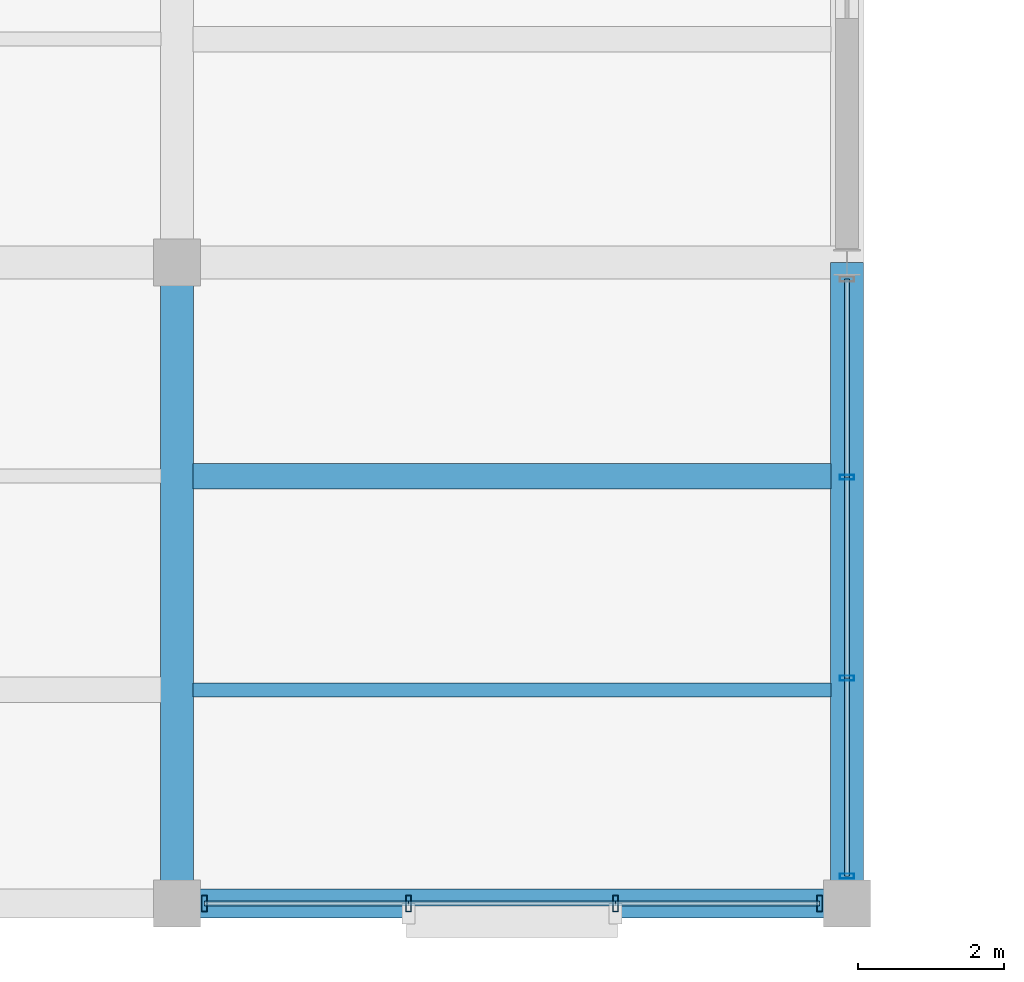
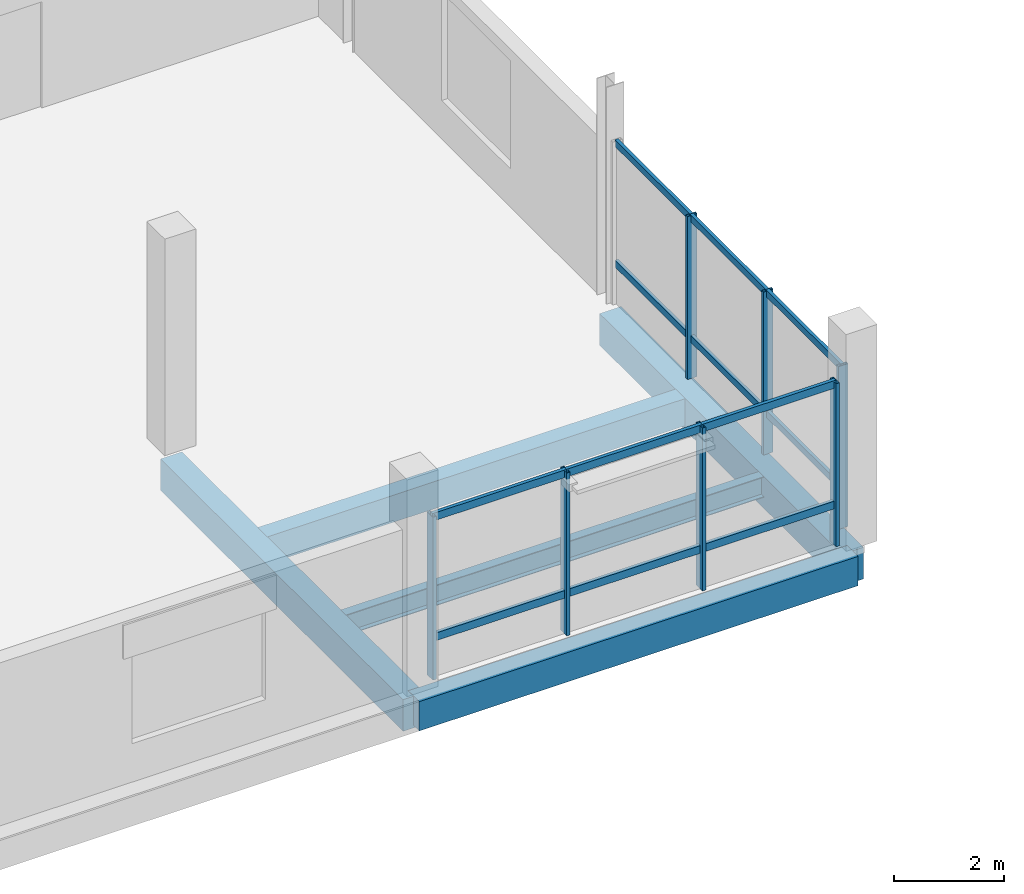
# One storey, part 18 of 71: 19 members, 5 beams, 2 elements without a shape of their own.
"""IFC4 building model written with IfcOpenShell, lengths in metres."""

from ifc_helpers import new_model, si_unit, direction, frame, origin, origin_2d, place, context, subcontext, project, spatial, rectangle, hollow_rectangle, i_section, extrude, material, layer, layer_set, material_profile, profile_set, type_object, element, aggregate, save


model = new_model("IFC4")

# Units and contexts
model_context = context("Model", 3, precision=1e-05, world=origin(), true_north=direction((0.0, 1.0)))
body_context = subcontext(model_context, "Body", "Model", "MODEL_VIEW")
ifc_project = project(units=[si_unit("LENGTHUNIT", "METRE"), si_unit("AREAUNIT", "SQUARE_METRE"), si_unit("VOLUMEUNIT", "CUBIC_METRE"), si_unit("PLANEANGLEUNIT", "RADIAN"), si_unit("MASSUNIT", "GRAM", prefix="KILO")], contexts=[model_context])

# Site, building, storey
site_placement = place(None, origin())
site = spatial("IfcSite", under=ifc_project, at=site_placement, CompositionType="ELEMENT")
building_placement = place(site_placement, origin())
building = spatial("IfcBuilding", under=site, at=building_placement, Name="Meriwether Solvik Hall", CompositionType="ELEMENT")
storey_placement = place(building_placement, frame((0.0, 0.0, 5.10009765625)))
storey = spatial("IfcBuildingStorey", under=building, at=storey_placement, Name="L01", CompositionType="ELEMENT", Elevation=5.10009765625)

# Beams
ifc_material_1 = material(Name="Concrete C40/50", Category="concrete")
ifc_material_profile_1 = material_profile(ifc_material_1, rectangle(XDim=0.35009765625, YDim=0.60009765625, at=origin_2d()), Name="RCB-350X600")
ifc_profile_set_1 = profile_set([ifc_material_profile_1], Name="Concrete C40/50")
beam_type_1 = type_object("IfcBeamType", Name="BM-RC-350X600", PredefinedType="JOIST", material=ifc_profile_set_1)
beam_1_placement = place(storey_placement, frame((105.219970703125, 11.066650390625, -0.60009765625), z_axis=(1.0, 0.0, 0.0), x_axis=(0.0, 1.0, 0.0)))
element("IfcBeam", 1, at=beam_1_placement, inside=storey, type_object=beam_type_1, Name="Secondary Floor Joist 12/A_J2 (L01)", PredefinedType="JOIST", context=body_context, shape_type="SweptSolid", body=[
    extrude(rectangle(XDim=0.35009765625, YDim=0.60009765625, at=origin_2d()), origin(), (0.0, 0.0, 1.0), 8.760009765625),
])
ifc_material_2 = material(Name="Concrete C40/50", Category="concrete")
ifc_material_profile_2 = material_profile(ifc_material_2, rectangle(XDim=0.39990234375, YDim=0.64990234375, at=origin_2d()), Name="RCB-400X650")
ifc_profile_set_2 = profile_set([ifc_material_profile_2], Name="Concrete C40/50")
beam_type_2 = type_object("IfcBeamType", Name="BM-RC-400X650", PredefinedType="SPANDREL", material=ifc_profile_set_2)
beam_2_placement = place(storey_placement, frame((105.0, 5.199951171875, -0.625), z_axis=(1.0, 0.0, 0.0), x_axis=(0.0, 1.0, 0.0)))
element("IfcBeam", 2, at=beam_2_placement, inside=storey, type_object=beam_type_2, Name="Podium Girder A:12-13 (L01)", PredefinedType="SPANDREL", context=body_context, shape_type="SweptSolid", body=[
    extrude(rectangle(XDim=0.39990234375, YDim=0.64990234375, at=origin_2d()), origin(), (0.0, 0.0, 1.0), 9.199951171875),
])
ifc_material_3 = material(Name="Concrete C40/50", Category="concrete")
ifc_material_profile_3 = material_profile(ifc_material_3, rectangle(XDim=0.449951171875, YDim=0.699951171875, at=origin_2d()), Name="RCB-450X700")
ifc_profile_set_3 = profile_set([ifc_material_profile_3], Name="Concrete C40/50")
beam_type_3 = type_object("IfcBeamType", Name="BM-RC-450X700", PredefinedType="BEAM", material=ifc_profile_set_3)
for number, where, z_axis, x_axis, name in (
    (3, (105.0, 5.199951171875, -0.650146484375), (0.0, 1.0, 0.0), (-1.0, 0.0, 0.0), "Podium Girder 12:A-B (L01)"),
    (4, (114.199951171875, 5.199951171875, -0.650146484375), (0.0, 1.0, 0.0), (-1.0, 0.0, 0.0), "Podium Girder 13:A-B (L01)"),
):
    element("IfcBeam", number, at=place(storey_placement, frame(where, z_axis=z_axis, x_axis=x_axis)), inside=storey, type_object=beam_type_3, Name=name, PredefinedType="BEAM", context=body_context, shape_type="SweptSolid", body=[
        extrude(rectangle(XDim=0.449951171875, YDim=0.699951171875, at=origin_2d()), origin(), (0.0, 0.0, 1.0), 8.800048828125),
    ])
ifc_material_4 = material(Name="Steel A992 Grade 50", Category="steel")
ifc_material_profile_4 = material_profile(ifc_material_4, i_section(OverallWidth=0.19091796875, OverallDepth=0.45703125, WebThickness=0.009033203125, FlangeThickness=0.014404296875, at=origin_2d()), Name="W18X50")
ifc_profile_set_4 = profile_set([ifc_material_profile_4], Name="Steel A992 Grade 50")
beam_type_4 = type_object("IfcBeamType", Name="BM-STL-W18X50", PredefinedType="JOIST", material=ifc_profile_set_4)
beam_3_placement = place(storey_placement, frame((105.219970703125, 8.13330078125, -0.528564453125), z_axis=(1.0, 0.0, 0.0), x_axis=(0.0, 1.0, 0.0)))
element("IfcBeam", 5, at=beam_3_placement, inside=storey, type_object=beam_type_4, Name="Secondary Floor Joist 12/A_J1 (L01)", PredefinedType="JOIST", context=body_context, shape_type="SweptSolid", body=[
    extrude(i_section(OverallWidth=0.19091796875, OverallDepth=0.45703125, WebThickness=0.009033203125, FlangeThickness=0.014404296875, at=origin_2d()), origin(), (0.0, 0.0, 1.0), 8.760009765625),
])

# Curtain wall, members
ifc_material_5 = material(Name="Thermally Broken Anodised Aluminium 6063-T6 and Low-E Glass", Category="aluminium")
ifc_layer = layer(ifc_material_5, 0.179931640625)
ifc_layer_set = layer_set([ifc_layer], Name="Thermally Broken Anodised Aluminium 6063-T6 and Low-E Glass")
curtain_wall_type = type_object("IfcCurtainWallType", Name="CW-SF-POD-B", PredefinedType="USERDEFINED", material=ifc_layer_set)
curtain_wall_1_placement = place(storey_placement, origin())
curtain_wall_1 = element("IfcCurtainWall", 6, at=curtain_wall_1_placement, inside=storey, type_object=curtain_wall_type, Name="Curtain Wall wing_Y13_1_49 (L01)", ObjectType="STICK STOREFRONT GLAZING", PredefinedType="USERDEFINED")
ifc_material_6 = material(Name="Anodised Aluminium 6063-T6", Category="aluminium")
ifc_material_profile_5 = material_profile(ifc_material_6, hollow_rectangle(XDim=0.070068359375, YDim=0.199951171875, WallThickness=0.0048828125, at=origin_2d()), Name="CWM-70X200")
ifc_profile_set_5 = profile_set([ifc_material_profile_5], Name="Anodised Aluminium 6063-T6")
member_type_1 = type_object("IfcMemberType", Name="CW-MUL-70X200", PredefinedType="MULLION", material=ifc_profile_set_5)
member_1_placement = place(storey_placement, frame((114.199951171875, 11.05224609375, 0.0), z_axis=(0.0, 0.0, 1.0), x_axis=(0.0, -1.0, 0.0)))
member_1 = element("IfcMember", 7, at=member_1_placement, type_object=member_type_1, Name="Curtain Wall Mullion 2", PredefinedType="MULLION", context=body_context, shape_type="SweptSolid", body=[
    extrude(hollow_rectangle(XDim=0.070068359375, YDim=0.199951171875, WallThickness=0.0048828125, at=origin_2d()), origin(), (0.0, 0.0, 1.0), 3.60986328125),
])
member_2_placement = place(storey_placement, frame((114.199951171875, 8.294677734375, 0.0), z_axis=(0.0, 0.0, 1.0), x_axis=(0.0, -1.0, 0.0)))
member_2 = element("IfcMember", 8, at=member_2_placement, type_object=member_type_1, Name="Curtain Wall Mullion 3", PredefinedType="MULLION", context=body_context, shape_type="SweptSolid", body=[
    extrude(hollow_rectangle(XDim=0.070068359375, YDim=0.199951171875, WallThickness=0.0048828125, at=origin_2d()), origin(), (0.0, 0.0, 1.0), 3.60986328125),
])
member_3_placement = place(storey_placement, frame((114.199951171875, 5.574951171875, 0.0), z_axis=(0.0, 0.0, 1.0), x_axis=(0.0, -1.0, 0.0)))
member_3 = element("IfcMember", 9, at=member_3_placement, type_object=member_type_1, Name="Curtain Wall Mullion 4", PredefinedType="MULLION", context=body_context, shape_type="SweptSolid", body=[
    extrude(hollow_rectangle(XDim=0.070068359375, YDim=0.199951171875, WallThickness=0.0048828125, at=origin_2d()), origin(), (0.0, 0.0, 1.0), 3.60986328125),
])

curtain_wall_2_placement = place(storey_placement, origin())
curtain_wall_2 = element("IfcCurtainWall", 10, at=curtain_wall_2_placement, inside=storey, type_object=curtain_wall_type, Name="Curtain Wall wing_XA_12_11 (L01)", ObjectType="STICK STOREFRONT GLAZING", PredefinedType="USERDEFINED")
ifc_material_7 = material(Name="Anodised Aluminium 6063-T6", Category="aluminium")
ifc_material_profile_6 = material_profile(ifc_material_7, hollow_rectangle(XDim=0.074951171875, YDim=0.219970703125, WallThickness=0.005615234375, at=origin_2d()), Name="CWM-75X220")
ifc_profile_set_6 = profile_set([ifc_material_profile_6], Name="Anodised Aluminium 6063-T6")
member_type_2 = type_object("IfcMemberType", Name="CW-MUL-75X220", PredefinedType="MULLION", material=ifc_profile_set_6)
member_4_placement = place(storey_placement, frame((113.824951171875, 5.199951171875, 0.0), z_axis=(0.0, 0.0, 1.0), x_axis=(-1.0, 0.0, 0.0)))
member_4 = element("IfcMember", 11, at=member_4_placement, type_object=member_type_2, Name="Curtain Wall Mullion 1", PredefinedType="MULLION", context=body_context, shape_type="SweptSolid", body=[
    extrude(hollow_rectangle(XDim=0.074951171875, YDim=0.219970703125, WallThickness=0.005615234375, at=origin_2d()), origin(), (0.0, 0.0, 1.0), 3.60986328125),
])
member_5_placement = place(storey_placement, frame((111.02099609375, 5.199951171875, 0.0), z_axis=(0.0, 0.0, 1.0), x_axis=(-1.0, 0.0, 0.0)))
member_5 = element("IfcMember", 12, at=member_5_placement, type_object=member_type_2, Name="Curtain Wall Mullion 2", PredefinedType="MULLION", context=body_context, shape_type="SweptSolid", body=[
    extrude(hollow_rectangle(XDim=0.074951171875, YDim=0.219970703125, WallThickness=0.005615234375, at=origin_2d()), origin(), (0.0, 0.0, 1.0), 3.60986328125),
])
member_6_placement = place(storey_placement, frame((108.178955078125, 5.199951171875, 0.0), z_axis=(0.0, 0.0, 1.0), x_axis=(-1.0, 0.0, 0.0)))
member_6 = element("IfcMember", 13, at=member_6_placement, type_object=member_type_2, Name="Curtain Wall Mullion 3", PredefinedType="MULLION", context=body_context, shape_type="SweptSolid", body=[
    extrude(hollow_rectangle(XDim=0.074951171875, YDim=0.219970703125, WallThickness=0.005615234375, at=origin_2d()), origin(), (0.0, 0.0, 1.0), 3.60986328125),
])
member_7_placement = place(storey_placement, frame((105.375, 5.199951171875, 0.0), z_axis=(0.0, 0.0, 1.0), x_axis=(-1.0, 0.0, 0.0)))
member_7 = element("IfcMember", 14, at=member_7_placement, type_object=member_type_2, Name="Curtain Wall Mullion 4", PredefinedType="MULLION", context=body_context, shape_type="SweptSolid", body=[
    extrude(hollow_rectangle(XDim=0.074951171875, YDim=0.219970703125, WallThickness=0.005615234375, at=origin_2d()), origin(), (0.0, 0.0, 1.0), 3.60986328125),
])

# Member
ifc_material_8 = material(Name="Anodised Aluminium 6063-T6", Category="aluminium")
ifc_material_profile_7 = material_profile(ifc_material_8, hollow_rectangle(XDim=0.070068359375, YDim=0.14990234375, WallThickness=0.0048828125, at=origin_2d()), Name="CWT-70X150")
ifc_profile_set_7 = profile_set([ifc_material_profile_7], Name="Anodised Aluminium 6063-T6")
member_type_3 = type_object("IfcMemberType", Name="CW-TRN-70X150", PredefinedType="USERDEFINED", material=ifc_profile_set_7)
member_8_placement = place(storey_placement, frame((114.199951171875, 13.77197265625, 0.8798828125), z_axis=(0.0, -1.0, 0.0), x_axis=(1.0, 0.0, 0.0)))
member_8 = element("IfcMember", 15, at=member_8_placement, type_object=member_type_3, Name="Curtain Wall Transom 1-sill", ObjectType="TRANSOM", PredefinedType="USERDEFINED", context=body_context, shape_type="SweptSolid", body=[
    extrude(hollow_rectangle(XDim=0.070068359375, YDim=0.14990234375, WallThickness=0.0048828125, at=origin_2d()), origin(), (0.0, 0.0, 1.0), 2.7197265625),
])

member_9_placement = place(storey_placement, frame((114.199951171875, 13.77197265625, 3.5498046875), z_axis=(0.0, -1.0, 0.0), x_axis=(1.0, 0.0, 0.0)))
member_9 = element("IfcMember", 16, at=member_9_placement, type_object=member_type_3, Name="Curtain Wall Transom 1-head", ObjectType="TRANSOM", PredefinedType="USERDEFINED", context=body_context, shape_type="SweptSolid", body=[
    extrude(hollow_rectangle(XDim=0.070068359375, YDim=0.14990234375, WallThickness=0.0048828125, at=origin_2d()), origin(), (0.0, 0.0, 1.0), 2.7197265625),
])

member_10_placement = place(storey_placement, frame((114.199951171875, 11.05224609375, 0.8798828125), z_axis=(0.0, -1.0, 0.0), x_axis=(1.0, 0.0, 0.0)))
member_10 = element("IfcMember", 17, at=member_10_placement, type_object=member_type_3, Name="Curtain Wall Transom 2-sill", ObjectType="TRANSOM", PredefinedType="USERDEFINED", context=body_context, shape_type="SweptSolid", body=[
    extrude(hollow_rectangle(XDim=0.070068359375, YDim=0.14990234375, WallThickness=0.0048828125, at=origin_2d()), origin(), (0.0, 0.0, 1.0), 2.757568359375),
])

member_11_placement = place(storey_placement, frame((114.199951171875, 11.05224609375, 3.5498046875), z_axis=(0.0, -1.0, 0.0), x_axis=(1.0, 0.0, 0.0)))
member_11 = element("IfcMember", 18, at=member_11_placement, type_object=member_type_3, Name="Curtain Wall Transom 2-head", ObjectType="TRANSOM", PredefinedType="USERDEFINED", context=body_context, shape_type="SweptSolid", body=[
    extrude(hollow_rectangle(XDim=0.070068359375, YDim=0.14990234375, WallThickness=0.0048828125, at=origin_2d()), origin(), (0.0, 0.0, 1.0), 2.757568359375),
])

member_12_placement = place(storey_placement, frame((114.199951171875, 8.294677734375, 0.8798828125), z_axis=(0.0, -1.0, 0.0), x_axis=(1.0, 0.0, 0.0)))
member_12 = element("IfcMember", 19, at=member_12_placement, type_object=member_type_3, Name="Curtain Wall Transom 3-sill", ObjectType="TRANSOM", PredefinedType="USERDEFINED", context=body_context, shape_type="SweptSolid", body=[
    extrude(hollow_rectangle(XDim=0.070068359375, YDim=0.14990234375, WallThickness=0.0048828125, at=origin_2d()), origin(), (0.0, 0.0, 1.0), 2.7197265625),
])

member_13_placement = place(storey_placement, frame((114.199951171875, 8.294677734375, 3.5498046875), z_axis=(0.0, -1.0, 0.0), x_axis=(1.0, 0.0, 0.0)))
member_13 = element("IfcMember", 20, at=member_13_placement, type_object=member_type_3, Name="Curtain Wall Transom 3-head", ObjectType="TRANSOM", PredefinedType="USERDEFINED", context=body_context, shape_type="SweptSolid", body=[
    extrude(hollow_rectangle(XDim=0.070068359375, YDim=0.14990234375, WallThickness=0.0048828125, at=origin_2d()), origin(), (0.0, 0.0, 1.0), 2.7197265625),
])

aggregate(curtain_wall_1, [member_1, member_2, member_3, member_8, member_9, member_10, member_11, member_12, member_13])

ifc_material_9 = material(Name="Anodised Aluminium 6063-T6", Category="aluminium")
ifc_material_profile_8 = material_profile(ifc_material_9, hollow_rectangle(XDim=0.074951171875, YDim=0.169921875, WallThickness=0.005615234375, at=origin_2d()), Name="CWT-75X170")
ifc_profile_set_8 = profile_set([ifc_material_profile_8], Name="Anodised Aluminium 6063-T6")
member_type_4 = type_object("IfcMemberType", Name="CW-TRN-75X170", PredefinedType="USERDEFINED", material=ifc_profile_set_8)
member_14_placement = place(storey_placement, frame((113.824951171875, 5.199951171875, 0.8798828125), z_axis=(-1.0, 0.0, 0.0), x_axis=(0.0, -1.0, 0.0)))
member_14 = element("IfcMember", 21, at=member_14_placement, type_object=member_type_4, Name="Curtain Wall Transom 1-sill", ObjectType="TRANSOM", PredefinedType="USERDEFINED", context=body_context, shape_type="SweptSolid", body=[
    extrude(hollow_rectangle(XDim=0.074951171875, YDim=0.169921875, WallThickness=0.005615234375, at=origin_2d()), origin(), (0.0, 0.0, 1.0), 2.803955078125),
])

member_15_placement = place(storey_placement, frame((113.824951171875, 5.199951171875, 3.5498046875), z_axis=(-1.0, 0.0, 0.0), x_axis=(0.0, -1.0, 0.0)))
member_15 = element("IfcMember", 22, at=member_15_placement, type_object=member_type_4, Name="Curtain Wall Transom 1-head", ObjectType="TRANSOM", PredefinedType="USERDEFINED", context=body_context, shape_type="SweptSolid", body=[
    extrude(hollow_rectangle(XDim=0.074951171875, YDim=0.169921875, WallThickness=0.005615234375, at=origin_2d()), origin(), (0.0, 0.0, 1.0), 2.803955078125),
])

member_16_placement = place(storey_placement, frame((111.02099609375, 5.199951171875, 0.8798828125), z_axis=(-1.0, 0.0, 0.0), x_axis=(0.0, -1.0, 0.0)))
member_16 = element("IfcMember", 23, at=member_16_placement, type_object=member_type_4, Name="Curtain Wall Transom 2-sill", ObjectType="TRANSOM", PredefinedType="USERDEFINED", context=body_context, shape_type="SweptSolid", body=[
    extrude(hollow_rectangle(XDim=0.074951171875, YDim=0.169921875, WallThickness=0.005615234375, at=origin_2d()), origin(), (0.0, 0.0, 1.0), 2.842041015625),
])

member_17_placement = place(storey_placement, frame((111.02099609375, 5.199951171875, 3.5498046875), z_axis=(-1.0, 0.0, 0.0), x_axis=(0.0, -1.0, 0.0)))
member_17 = element("IfcMember", 24, at=member_17_placement, type_object=member_type_4, Name="Curtain Wall Transom 2-head", ObjectType="TRANSOM", PredefinedType="USERDEFINED", context=body_context, shape_type="SweptSolid", body=[
    extrude(hollow_rectangle(XDim=0.074951171875, YDim=0.169921875, WallThickness=0.005615234375, at=origin_2d()), origin(), (0.0, 0.0, 1.0), 2.842041015625),
])

member_18_placement = place(storey_placement, frame((108.178955078125, 5.199951171875, 0.8798828125), z_axis=(-1.0, 0.0, 0.0), x_axis=(0.0, -1.0, 0.0)))
member_18 = element("IfcMember", 25, at=member_18_placement, type_object=member_type_4, Name="Curtain Wall Transom 3-sill", ObjectType="TRANSOM", PredefinedType="USERDEFINED", context=body_context, shape_type="SweptSolid", body=[
    extrude(hollow_rectangle(XDim=0.074951171875, YDim=0.169921875, WallThickness=0.005615234375, at=origin_2d()), origin(), (0.0, 0.0, 1.0), 2.803955078125),
])

member_19_placement = place(storey_placement, frame((108.178955078125, 5.199951171875, 3.5498046875), z_axis=(-1.0, 0.0, 0.0), x_axis=(0.0, -1.0, 0.0)))
member_19 = element("IfcMember", 26, at=member_19_placement, type_object=member_type_4, Name="Curtain Wall Transom 3-head", ObjectType="TRANSOM", PredefinedType="USERDEFINED", context=body_context, shape_type="SweptSolid", body=[
    extrude(hollow_rectangle(XDim=0.074951171875, YDim=0.169921875, WallThickness=0.005615234375, at=origin_2d()), origin(), (0.0, 0.0, 1.0), 2.803955078125),
])

aggregate(curtain_wall_2, [member_4, member_5, member_6, member_7, member_14, member_15, member_16, member_17, member_18, member_19])

save(model, "model.ifc")
